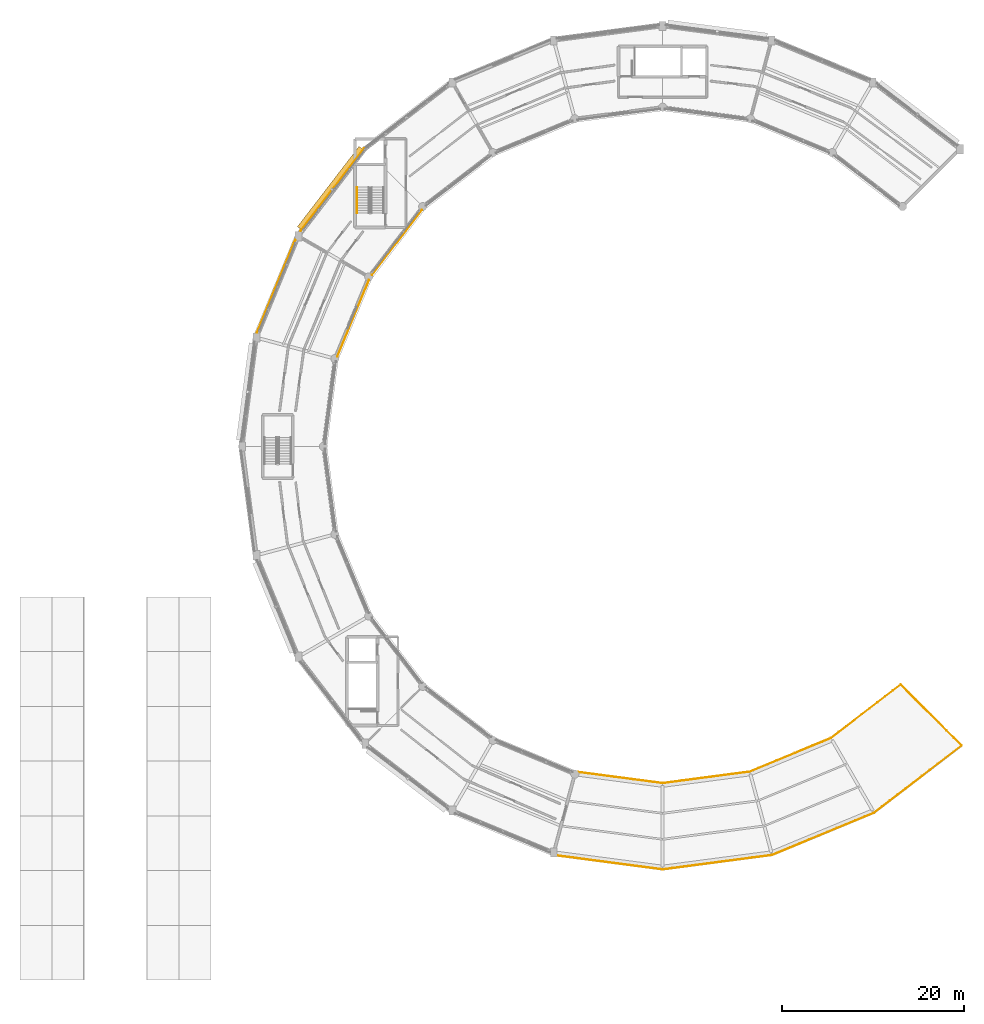
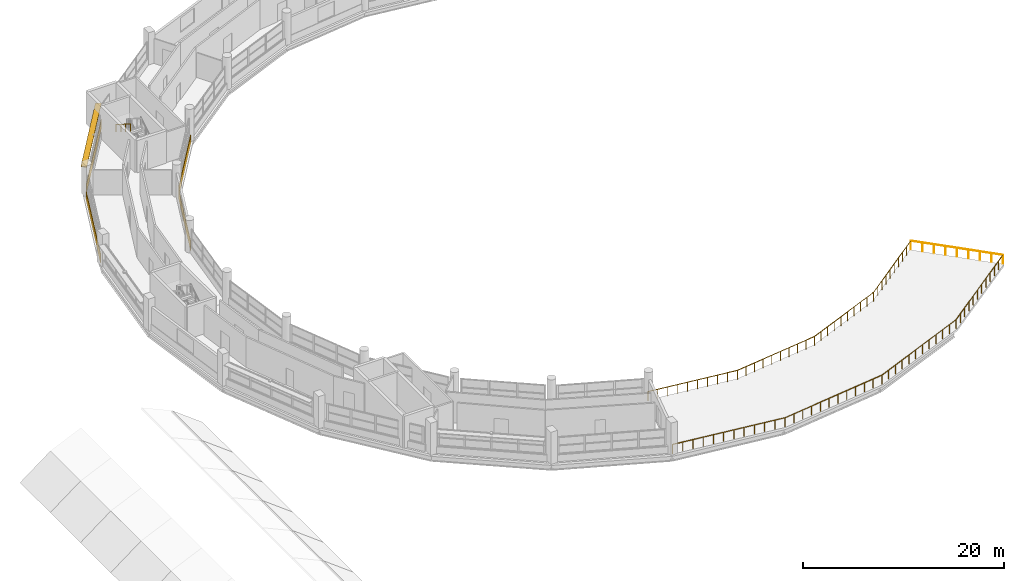
# One storey, part 51 of 53: 4 coverings, 4 railings, 1 shading device.
"""IFC4 building model written with IfcOpenShell, lengths in metres."""

from ifc_helpers import new_model, si_unit, direction, frame, frame_2d, origin, origin_2d, place, context, subcontext, project, spatial, rectangle, circle, extrude, material, layer, layer_set, type_object, element, save


model = new_model("IFC4")

# Units and contexts
model_context = context("Model", 3, precision=1e-05, world=origin(), true_north=direction((0.0, 1.0)))
body_context = subcontext(model_context, "Body", "Model", "MODEL_VIEW")
ifc_project = project(units=[si_unit("LENGTHUNIT", "METRE"), si_unit("AREAUNIT", "SQUARE_METRE"), si_unit("VOLUMEUNIT", "CUBIC_METRE"), si_unit("PLANEANGLEUNIT", "RADIAN"), si_unit("MASSUNIT", "GRAM", prefix="KILO")], contexts=[model_context])

# Site, building, storey
site_placement = place(None, origin())
site = spatial("IfcSite", under=ifc_project, at=site_placement, CompositionType="ELEMENT")
building_placement = place(site_placement, origin())
building = spatial("IfcBuilding", under=site, at=building_placement, Name="Vespera Passage Community Centre", CompositionType="ELEMENT")
storey_placement = place(building_placement, frame((0.0, 0.0, 20.39990234375)))
storey = spatial("IfcBuildingStorey", under=building, at=storey_placement, Name="L05", CompositionType="ELEMENT", Elevation=20.39990234375)

# Coverings
ifc_material_1 = material(Name="Precast concrete f'c 40 MPa", Category="concrete")
ifc_layer = layer(ifc_material_1, 0.06005859375)
ifc_layer_set = layer_set([ifc_layer], Name="Precast concrete f'c 40 MPa")
covering_type = type_object("IfcCoveringType", Name="COV-CLAD-60E", PredefinedType="CLADDING", material=ifc_layer_set)
covering_1_placement = place(storey_placement, frame((38.301025390625, 89.122314453125, -0.27978515625), z_axis=(0.0, 0.0, 1.0), x_axis=(0.608766951842, 0.793349102441, 0.0)))
element("IfcCovering", 1, at=covering_1_placement, inside=storey, type_object=covering_type, Name="V4 L05 Outer White Spandrel Band O9", PredefinedType="CLADDING", context=body_context, shape_type="SweptSolid", body=[
    extrude(rectangle(XDim=11.443603515625, YDim=0.06005859375, at=frame_2d((5.7216796875, 0.0))), origin(), (0.0, 0.0, 1.0), 1.099853515625),
])
covering_2_placement = place(storey_placement, frame((51.603515625, 91.4296875, -0.27978515625), z_axis=(0.0, 0.0, 1.0), x_axis=(-0.608765610033, -0.793350132061, 0.0)))
element("IfcCovering", 2, at=covering_2_placement, inside=storey, type_object=covering_type, Name="V4 L05 Inner Court White Spandrel Band I9", PredefinedType="CLADDING", context=body_context, shape_type="SweptSolid", body=[
    extrude(rectangle(XDim=9.004638671875, YDim=0.06005859375, at=frame_2d((4.50244140625, 0.0))), origin(), (0.0, 0.0, 1.0), 1.099853515625),
])
covering_3_placement = place(storey_placement, frame((33.51123046875, 77.9736328125, -0.27978515625), z_axis=(0.0, 0.0, 1.0), x_axis=(0.382695413149, 0.923874569817, 0.0)))
element("IfcCovering", 3, at=covering_3_placement, inside=storey, type_object=covering_type, Name="V4 L05 Outer White Spandrel Band O10", PredefinedType="CLADDING", context=body_context, shape_type="SweptSolid", body=[
    extrude(rectangle(XDim=11.002197265625, YDim=0.06005859375, at=frame_2d((5.5009765625, 0.0))), origin(), (0.0, 0.0, 1.0), 1.099853515625),
])
covering_4_placement = place(storey_placement, frame((45.8125, 83.763916015625, -0.27978515625), z_axis=(0.0, 0.0, 1.0), x_axis=(-0.38269491658, -0.92387477551, 0.0)))
element("IfcCovering", 4, at=covering_4_placement, inside=storey, type_object=covering_type, Name="V4 L05 Court White Sill Band I10", PredefinedType="CLADDING", context=body_context, shape_type="SweptSolid", body=[
    extrude(rectangle(XDim=9.11181640625, YDim=0.06005859375, at=frame_2d((4.555908203125, 0.0))), origin(), (0.0, 0.0, 1.0), 1.099853515625),
])

# Railings
ifc_material_2 = material(Name="Steel ASTM A500 Grade C", Category="steel")
railing_type_1 = type_object("IfcRailingType", Name="RL-EXT-1100E", PredefinedType="GUARDRAIL", material=ifc_material_2)
railing_1_placement = place(storey_placement, frame((65.99609375, 20.700439453125, 0.0)))
element("IfcRailing", 5, at=railing_1_placement, inside=storey, type_object=railing_type_1, Name="L05 South Sky Terrace Outer Ship-Rail Guard", PredefinedType="GUARDRAIL", context=body_context, shape_type="SweptSolid", body=[
    extrude(circle(Radius=0.02392578125, at=origin_2d()), frame((0.0, 0.0, 1.09619140625), z_axis=(0.991445096228, -0.130524408312, 0.0), x_axis=(0.130524408312, 0.991445096228, 0.0)), (0.0, 0.0, 1.0), 12.107421875),
    extrude(circle(Radius=0.02392578125, at=origin_2d()), frame((12.00390625, -1.580322265625, 1.09619140625), z_axis=(0.991445096228, 0.130524408312, 0.0), x_axis=(-0.130524408312, 0.991445096228, 0.0)), (0.0, 0.0, 1.0), 12.107421875),
    extrude(circle(Radius=0.02392578125, at=origin_2d()), frame((24.0078125, 0.0, 1.09619140625), z_axis=(0.92388264791, 0.38267591104, 0.0), x_axis=(-0.38267591104, 0.92388264791, 0.0)), (0.0, 0.0, 1.0), 12.107666015625),
    extrude(circle(Radius=0.02392578125, at=origin_2d()), frame((35.19384765625, 4.63330078125, 1.09619140625), z_axis=(0.793358018094, 0.60875533273, 0.0), x_axis=(-0.60875533273, 0.793358018094, 0.0)), (0.0, 0.0, 1.0), 12.107666015625),
    extrude(circle(Radius=0.02099609375, at=origin_2d()), origin(), (0.0, 0.0, 1.0), 1.072021484375),
    extrude(circle(Radius=0.02099609375, at=origin_2d()), frame((1.09130859375, -0.1435546875, 0.0)), (0.0, 0.0, 1.0), 1.072021484375),
    extrude(circle(Radius=0.02099609375, at=origin_2d()), frame((2.1826171875, -0.287353515625, 0.0)), (0.0, 0.0, 1.0), 1.072021484375),
    extrude(circle(Radius=0.02099609375, at=origin_2d()), frame((3.273681640625, -0.430908203125, 0.0)), (0.0, 0.0, 1.0), 1.072021484375),
    extrude(circle(Radius=0.02099609375, at=origin_2d()), frame((4.364990234375, -0.57470703125, 0.0)), (0.0, 0.0, 1.0), 1.072021484375),
    extrude(circle(Radius=0.02099609375, at=origin_2d()), frame((5.456298828125, -0.71826171875, 0.0)), (0.0, 0.0, 1.0), 1.072021484375),
    extrude(circle(Radius=0.02099609375, at=origin_2d()), frame((6.547607421875, -0.862060546875, 0.0)), (0.0, 0.0, 1.0), 1.072021484375),
    extrude(circle(Radius=0.02099609375, at=origin_2d()), frame((7.638916015625, -1.005615234375, 0.0)), (0.0, 0.0, 1.0), 1.072021484375),
    extrude(circle(Radius=0.02099609375, at=origin_2d()), frame((8.730224609375, -1.1494140625, 0.0)), (0.0, 0.0, 1.0), 1.072021484375),
    extrude(circle(Radius=0.02099609375, at=origin_2d()), frame((9.8212890625, -1.29296875, 0.0)), (0.0, 0.0, 1.0), 1.072021484375),
    extrude(circle(Radius=0.02099609375, at=origin_2d()), frame((10.91259765625, -1.436767578125, 0.0)), (0.0, 0.0, 1.0), 1.072021484375),
    extrude(circle(Radius=0.02099609375, at=origin_2d()), frame((12.00390625, -1.580322265625, 0.0)), (0.0, 0.0, 1.0), 1.072021484375),
    extrude(circle(Radius=0.02099609375, at=origin_2d()), frame((13.09521484375, -1.436767578125, 0.0)), (0.0, 0.0, 1.0), 1.072021484375),
    extrude(circle(Radius=0.02099609375, at=origin_2d()), frame((14.1865234375, -1.29296875, 0.0)), (0.0, 0.0, 1.0), 1.072021484375),
    extrude(circle(Radius=0.02099609375, at=origin_2d()), frame((15.277587890625, -1.1494140625, 0.0)), (0.0, 0.0, 1.0), 1.072021484375),
    extrude(circle(Radius=0.02099609375, at=origin_2d()), frame((16.368896484375, -1.005615234375, 0.0)), (0.0, 0.0, 1.0), 1.072021484375),
    extrude(circle(Radius=0.02099609375, at=origin_2d()), frame((17.460205078125, -0.862060546875, 0.0)), (0.0, 0.0, 1.0), 1.072021484375),
    extrude(circle(Radius=0.02099609375, at=origin_2d()), frame((18.551513671875, -0.71826171875, 0.0)), (0.0, 0.0, 1.0), 1.072021484375),
    extrude(circle(Radius=0.02099609375, at=origin_2d()), frame((19.642822265625, -0.57470703125, 0.0)), (0.0, 0.0, 1.0), 1.072021484375),
    extrude(circle(Radius=0.02099609375, at=origin_2d()), frame((20.734130859375, -0.430908203125, 0.0)), (0.0, 0.0, 1.0), 1.072021484375),
    extrude(circle(Radius=0.02099609375, at=origin_2d()), frame((21.8251953125, -0.287353515625, 0.0)), (0.0, 0.0, 1.0), 1.072021484375),
    extrude(circle(Radius=0.02099609375, at=origin_2d()), frame((22.91650390625, -0.1435546875, 0.0)), (0.0, 0.0, 1.0), 1.072021484375),
    extrude(circle(Radius=0.02099609375, at=origin_2d()), frame((24.0078125, 0.0, 0.0)), (0.0, 0.0, 1.0), 1.072021484375),
    extrude(circle(Radius=0.02099609375, at=origin_2d()), frame((25.024658203125, 0.421142578125, 0.0)), (0.0, 0.0, 1.0), 1.072021484375),
    extrude(circle(Radius=0.02099609375, at=origin_2d()), frame((26.041748046875, 0.842529296875, 0.0)), (0.0, 0.0, 1.0), 1.072021484375),
    extrude(circle(Radius=0.02099609375, at=origin_2d()), frame((27.05859375, 1.263671875, 0.0)), (0.0, 0.0, 1.0), 1.072021484375),
    extrude(circle(Radius=0.02099609375, at=origin_2d()), frame((28.075439453125, 1.684814453125, 0.0)), (0.0, 0.0, 1.0), 1.072021484375),
    extrude(circle(Radius=0.02099609375, at=origin_2d()), frame((29.09228515625, 2.10595703125, 0.0)), (0.0, 0.0, 1.0), 1.072021484375),
    extrude(circle(Radius=0.02099609375, at=origin_2d()), frame((30.109375, 2.52734375, 0.0)), (0.0, 0.0, 1.0), 1.072021484375),
    extrude(circle(Radius=0.02099609375, at=origin_2d()), frame((31.126220703125, 2.948486328125, 0.0)), (0.0, 0.0, 1.0), 1.072021484375),
    extrude(circle(Radius=0.02099609375, at=origin_2d()), frame((32.14306640625, 3.36962890625, 0.0)), (0.0, 0.0, 1.0), 1.072021484375),
    extrude(circle(Radius=0.02099609375, at=origin_2d()), frame((33.159912109375, 3.790771484375, 0.0)), (0.0, 0.0, 1.0), 1.072021484375),
    extrude(circle(Radius=0.02099609375, at=origin_2d()), frame((34.177001953125, 4.212158203125, 0.0)), (0.0, 0.0, 1.0), 1.072021484375),
    extrude(circle(Radius=0.02099609375, at=origin_2d()), frame((35.19384765625, 4.63330078125, 0.0)), (0.0, 0.0, 1.0), 1.072021484375),
    extrude(circle(Radius=0.02099609375, at=origin_2d()), frame((36.067138671875, 5.303466796875, 0.0)), (0.0, 0.0, 1.0), 1.072021484375),
    extrude(circle(Radius=0.02099609375, at=origin_2d()), frame((36.9404296875, 5.973388671875, 0.0)), (0.0, 0.0, 1.0), 1.072021484375),
    extrude(circle(Radius=0.02099609375, at=origin_2d()), frame((37.8134765625, 6.6435546875, 0.0)), (0.0, 0.0, 1.0), 1.072021484375),
    extrude(circle(Radius=0.02099609375, at=origin_2d()), frame((38.686767578125, 7.3134765625, 0.0)), (0.0, 0.0, 1.0), 1.072021484375),
    extrude(circle(Radius=0.02099609375, at=origin_2d()), frame((39.56005859375, 7.983642578125, 0.0)), (0.0, 0.0, 1.0), 1.072021484375),
    extrude(circle(Radius=0.02099609375, at=origin_2d()), frame((40.433349609375, 8.653564453125, 0.0)), (0.0, 0.0, 1.0), 1.072021484375),
    extrude(circle(Radius=0.02099609375, at=origin_2d()), frame((41.306640625, 9.32373046875, 0.0)), (0.0, 0.0, 1.0), 1.072021484375),
    extrude(circle(Radius=0.02099609375, at=origin_2d()), frame((42.179931640625, 9.99365234375, 0.0)), (0.0, 0.0, 1.0), 1.072021484375),
    extrude(circle(Radius=0.02099609375, at=origin_2d()), frame((43.052978515625, 10.663818359375, 0.0)), (0.0, 0.0, 1.0), 1.072021484375),
    extrude(circle(Radius=0.02099609375, at=origin_2d()), frame((43.92626953125, 11.333740234375, 0.0)), (0.0, 0.0, 1.0), 1.072021484375),
    extrude(circle(Radius=0.02099609375, at=origin_2d()), frame((44.799560546875, 12.00390625, 0.0)), (0.0, 0.0, 1.0), 1.072021484375),
])
railing_2_placement = place(storey_placement, frame((68.4443359375, 29.837890625, 0.0)))
element("IfcRailing", 6, at=railing_2_placement, inside=storey, type_object=railing_type_1, Name="L05 South Sky Terrace Inner Court Guard", PredefinedType="GUARDRAIL", context=body_context, shape_type="SweptSolid", body=[
    extrude(circle(Radius=0.02392578125, at=origin_2d()), frame((0.0, 0.0, 1.09619140625), z_axis=(0.991447741735, -0.13050431184, 0.0), x_axis=(0.13050431184, 0.991447741735, 0.0)), (0.0, 0.0, 1.0), 9.63818359375),
    extrude(circle(Radius=0.02392578125, at=origin_2d()), frame((9.5556640625, -1.2578125, 1.09619140625), z_axis=(0.991447741735, 0.13050431184, 0.0), x_axis=(-0.13050431184, 0.991447741735, 0.0)), (0.0, 0.0, 1.0), 9.63818359375),
    extrude(circle(Radius=0.02392578125, at=origin_2d()), frame((19.111328125, 0.0, 1.09619140625), z_axis=(0.923872341211, 0.382700793239, 0.0), x_axis=(-0.382700793239, 0.923872341211, 0.0)), (0.0, 0.0, 1.0), 9.637939453125),
    extrude(circle(Radius=0.02392578125, at=origin_2d()), frame((28.015625, 3.6884765625, 1.09619140625), z_axis=(0.793361674694, 0.608750567249, 0.0), x_axis=(-0.608750567249, 0.793361674694, 0.0)), (0.0, 0.0, 1.0), 9.63818359375),
    extrude(circle(Radius=0.02099609375, at=origin_2d()), origin(), (0.0, 0.0, 1.0), 1.072021484375),
    extrude(circle(Radius=0.02099609375, at=origin_2d()), frame((1.061767578125, -0.1396484375, 0.0)), (0.0, 0.0, 1.0), 1.072021484375),
    extrude(circle(Radius=0.02099609375, at=origin_2d()), frame((2.12353515625, -0.279541015625, 0.0)), (0.0, 0.0, 1.0), 1.072021484375),
    extrude(circle(Radius=0.02099609375, at=origin_2d()), frame((3.185302734375, -0.419189453125, 0.0)), (0.0, 0.0, 1.0), 1.072021484375),
    extrude(circle(Radius=0.02099609375, at=origin_2d()), frame((4.2470703125, -0.55908203125, 0.0)), (0.0, 0.0, 1.0), 1.072021484375),
    extrude(circle(Radius=0.02099609375, at=origin_2d()), frame((5.30859375, -0.69873046875, 0.0)), (0.0, 0.0, 1.0), 1.072021484375),
    extrude(circle(Radius=0.02099609375, at=origin_2d()), frame((6.370361328125, -0.838623046875, 0.0)), (0.0, 0.0, 1.0), 1.072021484375),
    extrude(circle(Radius=0.02099609375, at=origin_2d()), frame((7.43212890625, -0.978271484375, 0.0)), (0.0, 0.0, 1.0), 1.072021484375),
    extrude(circle(Radius=0.02099609375, at=origin_2d()), frame((8.493896484375, -1.1181640625, 0.0)), (0.0, 0.0, 1.0), 1.072021484375),
    extrude(circle(Radius=0.02099609375, at=origin_2d()), frame((9.5556640625, -1.2578125, 0.0)), (0.0, 0.0, 1.0), 1.072021484375),
    extrude(circle(Radius=0.02099609375, at=origin_2d()), frame((10.617431640625, -1.1181640625, 0.0)), (0.0, 0.0, 1.0), 1.072021484375),
    extrude(circle(Radius=0.02099609375, at=origin_2d()), frame((11.67919921875, -0.978271484375, 0.0)), (0.0, 0.0, 1.0), 1.072021484375),
    extrude(circle(Radius=0.02099609375, at=origin_2d()), frame((12.740966796875, -0.838623046875, 0.0)), (0.0, 0.0, 1.0), 1.072021484375),
    extrude(circle(Radius=0.02099609375, at=origin_2d()), frame((13.802734375, -0.69873046875, 0.0)), (0.0, 0.0, 1.0), 1.072021484375),
    extrude(circle(Radius=0.02099609375, at=origin_2d()), frame((14.8642578125, -0.55908203125, 0.0)), (0.0, 0.0, 1.0), 1.072021484375),
    extrude(circle(Radius=0.02099609375, at=origin_2d()), frame((15.926025390625, -0.419189453125, 0.0)), (0.0, 0.0, 1.0), 1.072021484375),
    extrude(circle(Radius=0.02099609375, at=origin_2d()), frame((16.98779296875, -0.279541015625, 0.0)), (0.0, 0.0, 1.0), 1.072021484375),
    extrude(circle(Radius=0.02099609375, at=origin_2d()), frame((18.049560546875, -0.1396484375, 0.0)), (0.0, 0.0, 1.0), 1.072021484375),
    extrude(circle(Radius=0.02099609375, at=origin_2d()), frame((19.111328125, 0.0, 0.0)), (0.0, 0.0, 1.0), 1.072021484375),
    extrude(circle(Radius=0.02099609375, at=origin_2d()), frame((20.1005859375, 0.409912109375, 0.0)), (0.0, 0.0, 1.0), 1.072021484375),
    extrude(circle(Radius=0.02099609375, at=origin_2d()), frame((21.090087890625, 0.819580078125, 0.0)), (0.0, 0.0, 1.0), 1.072021484375),
    extrude(circle(Radius=0.02099609375, at=origin_2d()), frame((22.079345703125, 1.2294921875, 0.0)), (0.0, 0.0, 1.0), 1.072021484375),
    extrude(circle(Radius=0.02099609375, at=origin_2d()), frame((23.06884765625, 1.639404296875, 0.0)), (0.0, 0.0, 1.0), 1.072021484375),
    extrude(circle(Radius=0.02099609375, at=origin_2d()), frame((24.05810546875, 2.049072265625, 0.0)), (0.0, 0.0, 1.0), 1.072021484375),
    extrude(circle(Radius=0.02099609375, at=origin_2d()), frame((25.047607421875, 2.458984375, 0.0)), (0.0, 0.0, 1.0), 1.072021484375),
    extrude(circle(Radius=0.02099609375, at=origin_2d()), frame((26.036865234375, 2.868896484375, 0.0)), (0.0, 0.0, 1.0), 1.072021484375),
    extrude(circle(Radius=0.02099609375, at=origin_2d()), frame((27.0263671875, 3.278564453125, 0.0)), (0.0, 0.0, 1.0), 1.072021484375),
    extrude(circle(Radius=0.02099609375, at=origin_2d()), frame((28.015625, 3.6884765625, 0.0)), (0.0, 0.0, 1.0), 1.072021484375),
    extrude(circle(Radius=0.02099609375, at=origin_2d()), frame((28.865234375, 4.34033203125, 0.0)), (0.0, 0.0, 1.0), 1.072021484375),
    extrude(circle(Radius=0.02099609375, at=origin_2d()), frame((29.71484375, 4.9921875, 0.0)), (0.0, 0.0, 1.0), 1.072021484375),
    extrude(circle(Radius=0.02099609375, at=origin_2d()), frame((30.564453125, 5.644287109375, 0.0)), (0.0, 0.0, 1.0), 1.072021484375),
    extrude(circle(Radius=0.02099609375, at=origin_2d()), frame((31.4140625, 6.296142578125, 0.0)), (0.0, 0.0, 1.0), 1.072021484375),
    extrude(circle(Radius=0.02099609375, at=origin_2d()), frame((32.263671875, 6.947998046875, 0.0)), (0.0, 0.0, 1.0), 1.072021484375),
    extrude(circle(Radius=0.02099609375, at=origin_2d()), frame((33.11328125, 7.599853515625, 0.0)), (0.0, 0.0, 1.0), 1.072021484375),
    extrude(circle(Radius=0.02099609375, at=origin_2d()), frame((33.962890625, 8.251953125, 0.0)), (0.0, 0.0, 1.0), 1.072021484375),
    extrude(circle(Radius=0.02099609375, at=origin_2d()), frame((34.8125, 8.90380859375, 0.0)), (0.0, 0.0, 1.0), 1.072021484375),
    extrude(circle(Radius=0.02099609375, at=origin_2d()), frame((35.662109375, 9.5556640625, 0.0)), (0.0, 0.0, 1.0), 1.072021484375),
])
railing_3_placement = place(storey_placement, frame((104.1064453125, 39.3935546875, 0.0)))
element("IfcRailing", 7, at=railing_3_placement, inside=storey, type_object=railing_type_1, Name="L05 South Sky Terrace East End Guard", PredefinedType="GUARDRAIL", context=body_context, shape_type="SweptSolid", body=[
    extrude(circle(Radius=0.02392578125, at=origin_2d()), frame((0.0, 0.0, 1.09619140625), z_axis=(0.707106781187, -0.707106781187, 0.0), x_axis=(0.707106781187, 0.707106781187, 0.0)), (0.0, 0.0, 1.0), 9.4599609375),
    extrude(circle(Radius=0.02099609375, at=origin_2d()), origin(), (0.0, 0.0, 1.0), 1.072021484375),
    extrude(circle(Radius=0.02099609375, at=origin_2d()), frame((0.836181640625, -0.836181640625, 0.0)), (0.0, 0.0, 1.0), 1.072021484375),
    extrude(circle(Radius=0.02099609375, at=origin_2d()), frame((1.67236328125, -1.67236328125, 0.0)), (0.0, 0.0, 1.0), 1.072021484375),
    extrude(circle(Radius=0.02099609375, at=origin_2d()), frame((2.508544921875, -2.508544921875, 0.0)), (0.0, 0.0, 1.0), 1.072021484375),
    extrude(circle(Radius=0.02099609375, at=origin_2d()), frame((3.3447265625, -3.3447265625, 0.0)), (0.0, 0.0, 1.0), 1.072021484375),
    extrude(circle(Radius=0.02099609375, at=origin_2d()), frame((4.1806640625, -4.1806640625, 0.0)), (0.0, 0.0, 1.0), 1.072021484375),
    extrude(circle(Radius=0.02099609375, at=origin_2d()), frame((5.016845703125, -5.016845703125, 0.0)), (0.0, 0.0, 1.0), 1.072021484375),
    extrude(circle(Radius=0.02099609375, at=origin_2d()), frame((5.85302734375, -5.85302734375, 0.0)), (0.0, 0.0, 1.0), 1.072021484375),
    extrude(circle(Radius=0.02099609375, at=origin_2d()), frame((6.689208984375, -6.689208984375, 0.0)), (0.0, 0.0, 1.0), 1.072021484375),
])
ifc_material_3 = material(Name="Steel ASTM A500 Grade C", Category="steel")
railing_type_2 = type_object("IfcRailingType", Name="RL-HAND-900I", PredefinedType="HANDRAIL", material=ifc_material_3)
railing_4_placement = place(storey_placement, frame((44.48291015625, 93.927978515625, 2.12744140625)))
element("IfcRailing", 8, at=railing_4_placement, inside=storey, type_object=railing_type_2, Name="L05 ST03 stair handrail 2", PredefinedType="HANDRAIL", context=body_context, shape_type="SweptSolid", body=[
    extrude(circle(Radius=0.02392578125, at=origin_2d()), frame((0.0, 0.0, 0.8759765625), z_axis=(0.0, -0.849148672731, 0.528153890072), x_axis=(1.0, 0.0, 0.0)), (0.0, 0.0, 1.0), 3.3564453125),
    extrude(circle(Radius=0.02099609375, at=origin_2d()), origin(), (0.0, 0.0, 1.0), 0.851806640625),
    extrude(circle(Radius=0.02099609375, at=origin_2d()), frame((0.0, -0.949951171875, 0.5908203125)), (0.0, 0.0, 1.0), 0.851806640625),
    extrude(circle(Radius=0.02099609375, at=origin_2d()), frame((0.0, -1.900146484375, 1.181884765625)), (0.0, 0.0, 1.0), 0.851806640625),
    extrude(circle(Radius=0.02099609375, at=origin_2d()), frame((0.0, -2.85009765625, 1.772705078125)), (0.0, 0.0, 1.0), 0.851806640625),
])

# Shading device
ifc_material_4 = material(Name="Anodized aluminium 6063-T6", Category="aluminium")
shading_device_type = type_object("IfcShadingDeviceType", Name="SHD-EYEBROW", PredefinedType="JALOUSIE", material=ifc_material_4)
shading_device_placement = place(storey_placement, frame((41.570068359375, 93.826171875, 2.745849609375), z_axis=(0.0, 0.0, 1.0), x_axis=(0.608761429009, 0.793353340291, 0.0)))
element("IfcShadingDevice", 9, at=shading_device_placement, inside=storey, type_object=shading_device_type, Name="V4 L05 Outer Solar Eyebrow 9", PredefinedType="JALOUSIE", context=body_context, shape_type="SweptSolid", body=[
    extrude(rectangle(XDim=11.093505859375, YDim=0.60009765625, at=origin_2d()), origin(), (0.0, 0.0, 1.0), 0.080078125),
])

save(model, "model.ifc")
